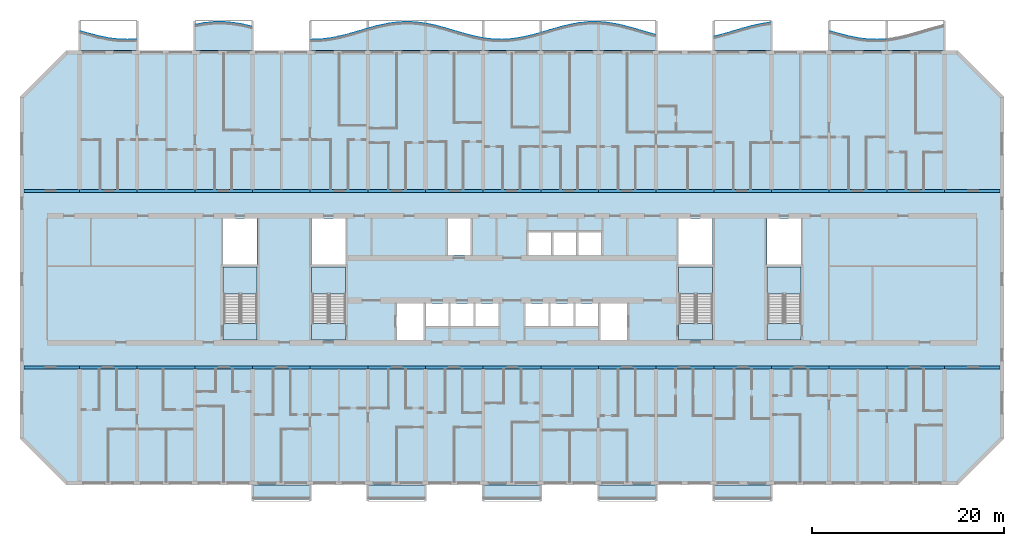
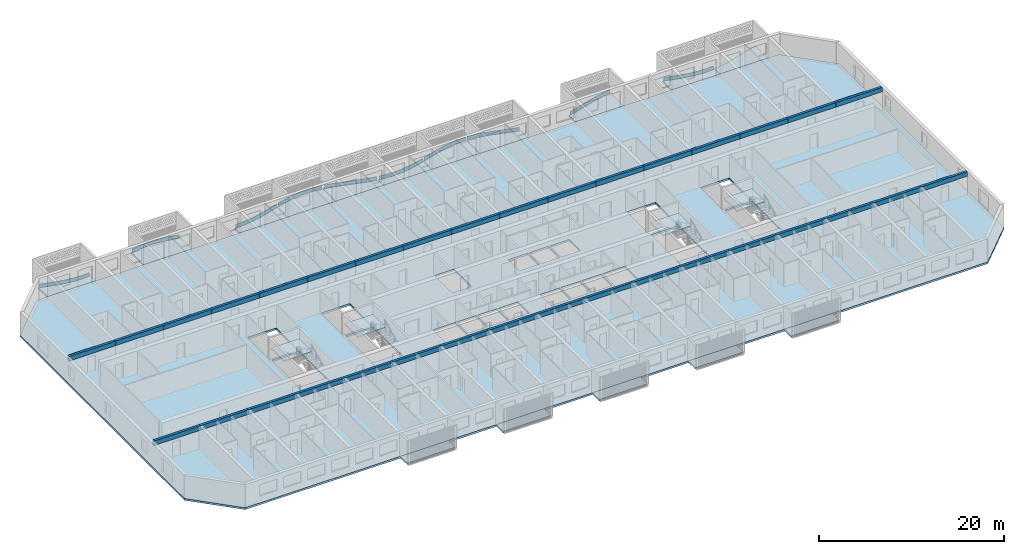
# One storey, part 1 of 44: 34 beams, 25 slabs, 10 plates, 4 elements without a shape of their own.
"""IFC4 building model written with IfcOpenShell, lengths in metres."""

from ifc_helpers import new_model, si_unit, direction, frame, origin, origin_2d, place, context, subcontext, project, spatial, polyline, rectangle, outline, extrude, source, transform, mapped, material, layer, layer_set, material_profile, profile_set, type_object, element, aggregate, save


model = new_model("IFC4")

# Units and contexts
model_context = context("Model", 3, precision=1e-05, world=origin(), true_north=direction((0.0, 1.0)))
body_context = subcontext(model_context, "Body", "Model", "MODEL_VIEW")
ifc_project = project(units=[si_unit("LENGTHUNIT", "METRE"), si_unit("AREAUNIT", "SQUARE_METRE"), si_unit("VOLUMEUNIT", "CUBIC_METRE"), si_unit("PLANEANGLEUNIT", "RADIAN"), si_unit("MASSUNIT", "GRAM", prefix="KILO")], contexts=[model_context])

# Site, building, storey
site_placement = place(None, origin())
site = spatial("IfcSite", under=ifc_project, at=site_placement, CompositionType="ELEMENT")
building_placement = place(site_placement, origin())
building = spatial("IfcBuilding", under=site, at=building_placement, Name="Poui Terraces", CompositionType="ELEMENT")
storey_placement = place(building_placement, frame((0.0, 0.0, 26.699951171875)))
storey = spatial("IfcBuildingStorey", under=building, at=storey_placement, Name="L06", CompositionType="ELEMENT", Elevation=26.699951171875)

# Beams
ifc_material_1 = material(Name="Concrete 80 MPa", Category="concrete")
ifc_material_profile = material_profile(ifc_material_1, rectangle(XDim=0.300048828125, YDim=0.60009765625, at=origin_2d()), Name="RC 300x600")
ifc_profile_set = profile_set([ifc_material_profile], Name="Concrete 80 MPa")
beam_type = type_object("IfcBeamType", Name="COUPLING BEAM 300x600 80MPa", PredefinedType="BEAM", material=ifc_profile_set)
shared_shape_1 = source(origin(), body_context, "Body", "SweptSolid", [
    extrude(rectangle(XDim=0.300048828125, YDim=0.60009765625, at=origin_2d()), origin(), (0.0, 0.0, 1.0), 6.0),
])
for number, where, z_axis, x_axis, name in (
    (1, (6.0, 12.0, 2.75), (1.0, 0.0, 0.0), (0.0, 1.0, 0.0), "COUPLING BEAM LINE B BAY 2"),
    (2, (12.0, 12.0, 2.75), (1.0, 0.0, 0.0), (0.0, 1.0, 0.0), "COUPLING BEAM LINE B BAY 3"),
    (3, (18.0, 12.0, 2.75), (1.0, 0.0, 0.0), (0.0, 1.0, 0.0), "COUPLING BEAM LINE B BAY 4"),
    (4, (24.0, 12.0, 2.75), (1.0, 0.0, 0.0), (0.0, 1.0, 0.0), "COUPLING BEAM LINE B BAY 5"),
    (5, (30.0, 12.0, 2.75), (1.0, 0.0, 0.0), (0.0, 1.0, 0.0), "COUPLING BEAM LINE B BAY 6"),
    (6, (36.0, 12.0, 2.75), (1.0, 0.0, 0.0), (0.0, 1.0, 0.0), "COUPLING BEAM LINE B BAY 7"),
    (7, (42.0, 12.0, 2.75), (1.0, 0.0, 0.0), (0.0, 1.0, 0.0), "COUPLING BEAM LINE B BAY 8"),
    (8, (48.0, 12.0, 2.75), (1.0, 0.0, 0.0), (0.0, 1.0, 0.0), "COUPLING BEAM LINE B BAY 9"),
    (9, (54.0, 12.0, 2.75), (1.0, 0.0, 0.0), (0.0, 1.0, 0.0), "COUPLING BEAM LINE B BAY 10"),
    (10, (60.0, 12.0, 2.75), (1.0, 0.0, 0.0), (0.0, 1.0, 0.0), "COUPLING BEAM LINE B BAY 11"),
    (11, (66.0, 12.0, 2.75), (1.0, 0.0, 0.0), (0.0, 1.0, 0.0), "COUPLING BEAM LINE B BAY 12"),
    (12, (72.0, 12.0, 2.75), (1.0, 0.0, 0.0), (0.0, 1.0, 0.0), "COUPLING BEAM LINE B BAY 13"),
    (13, (78.0, 12.0, 2.75), (1.0, 0.0, 0.0), (0.0, 1.0, 0.0), "COUPLING BEAM LINE B BAY 14"),
    (14, (84.0, 12.0, 2.75), (1.0, 0.0, 0.0), (0.0, 1.0, 0.0), "COUPLING BEAM LINE B BAY 15"),
    (15, (90.0, 12.0, 2.75), (1.0, 0.0, 0.0), (0.0, 1.0, 0.0), "COUPLING BEAM LINE B BAY 16"),
    (16, (6.0, 30.39990234375, 2.75), (1.0, 0.0, 0.0), (0.0, 1.0, 0.0), "COUPLING BEAM LINE E BAY 2"),
    (17, (12.0, 30.39990234375, 2.75), (1.0, 0.0, 0.0), (0.0, 1.0, 0.0), "COUPLING BEAM LINE E BAY 3"),
    (18, (18.0, 30.39990234375, 2.75), (1.0, 0.0, 0.0), (0.0, 1.0, 0.0), "COUPLING BEAM LINE E BAY 4"),
    (19, (24.0, 30.39990234375, 2.75), (1.0, 0.0, 0.0), (0.0, 1.0, 0.0), "COUPLING BEAM LINE E BAY 5"),
    (20, (30.0, 30.39990234375, 2.75), (1.0, 0.0, 0.0), (0.0, 1.0, 0.0), "COUPLING BEAM LINE E BAY 6"),
    (21, (36.0, 30.39990234375, 2.75), (1.0, 0.0, 0.0), (0.0, 1.0, 0.0), "COUPLING BEAM LINE E BAY 7"),
    (22, (42.0, 30.39990234375, 2.75), (1.0, 0.0, 0.0), (0.0, 1.0, 0.0), "COUPLING BEAM LINE E BAY 8"),
    (23, (48.0, 30.39990234375, 2.75), (1.0, 0.0, 0.0), (0.0, 1.0, 0.0), "COUPLING BEAM LINE E BAY 9"),
    (24, (54.0, 30.39990234375, 2.75), (1.0, 0.0, 0.0), (0.0, 1.0, 0.0), "COUPLING BEAM LINE E BAY 10"),
    (25, (60.0, 30.39990234375, 2.75), (1.0, 0.0, 0.0), (0.0, 1.0, 0.0), "COUPLING BEAM LINE E BAY 11"),
    (26, (66.0, 30.39990234375, 2.75), (1.0, 0.0, 0.0), (0.0, 1.0, 0.0), "COUPLING BEAM LINE E BAY 12"),
    (27, (72.0, 30.39990234375, 2.75), (1.0, 0.0, 0.0), (0.0, 1.0, 0.0), "COUPLING BEAM LINE E BAY 13"),
    (28, (78.0, 30.39990234375, 2.75), (1.0, 0.0, 0.0), (0.0, 1.0, 0.0), "COUPLING BEAM LINE E BAY 14"),
    (29, (84.0, 30.39990234375, 2.75), (1.0, 0.0, 0.0), (0.0, 1.0, 0.0), "COUPLING BEAM LINE E BAY 15"),
    (30, (90.0, 30.39990234375, 2.75), (1.0, 0.0, 0.0), (0.0, 1.0, 0.0), "COUPLING BEAM LINE E BAY 16"),
):
    element("IfcBeam", number, at=place(storey_placement, frame(where, z_axis=z_axis, x_axis=x_axis)), inside=storey, type_object=beam_type, Name=name, PredefinedType="BEAM", context=body_context, shape_type="MappedRepresentation", body=[
        mapped(shared_shape_1, transform((0.0, 0.0, 0.0))),
    ])
shared_shape_2 = source(origin(), body_context, "Body", "SweptSolid", [
    extrude(rectangle(XDim=0.300048828125, YDim=0.60009765625, at=origin_2d()), origin(), (0.0, 0.0, 1.0), 5.800048828125),
])
for number, where, z_axis, x_axis, name in (
    (31, (0.199951171875, 12.0, 2.75), (1.0, 0.0, 0.0), (0.0, 1.0, 0.0), "COUPLING BEAM LINE B BAY 1"),
    (32, (96.0, 12.0, 2.75), (1.0, 0.0, 0.0), (0.0, 1.0, 0.0), "COUPLING BEAM LINE B BAY 17"),
    (33, (0.199951171875, 30.39990234375, 2.75), (1.0, 0.0, 0.0), (0.0, 1.0, 0.0), "COUPLING BEAM LINE E BAY 1"),
    (34, (96.0, 30.39990234375, 2.75), (1.0, 0.0, 0.0), (0.0, 1.0, 0.0), "COUPLING BEAM LINE E BAY 17"),
):
    element("IfcBeam", number, at=place(storey_placement, frame(where, z_axis=z_axis, x_axis=x_axis)), inside=storey, type_object=beam_type, Name=name, PredefinedType="BEAM", context=body_context, shape_type="MappedRepresentation", body=[
        mapped(shared_shape_2, transform((0.0, 0.0, 0.0))),
    ])

# Slabs
ifc_material_2 = material(Name="Precast concrete 40 MPa", Category="concrete")
ifc_layer_1 = layer(ifc_material_2, 0.199951171875)
ifc_layer_set_1 = layer_set([ifc_layer_1], Name="Precast concrete 40 MPa")
slab_type_1 = type_object("IfcSlabType", Name="BALCONY SLAB 200", PredefinedType="FLOOR", material=ifc_layer_set_1)
slab_1_placement = place(storey_placement, frame((0.0, 0.0, -0.199951171875)))
element("IfcSlab", 35, at=slab_1_placement, inside=storey, type_object=slab_type_1, Name="BALCONY SLAB", PredefinedType="FLOOR", context=body_context, shape_type="SweptSolid", body=[
    extrude(outline(polyline([(6.0, 45.0), (12.0, 45.0), (12.0, 46.16455078125), (11.0, 46.101318359375), (10.0, 46.133056640625), (9.0, 46.2568359375), (8.0, 46.45947265625), (7.0, 46.72021484375), (6.0, 47.0126953125), (6.0, 45.0)])), origin(), (0.0, 0.0, 1.0), 0.199951171875),
])
slab_2_placement = place(storey_placement, frame((0.0, 0.0, -0.199951171875)))
element("IfcSlab", 36, at=slab_2_placement, inside=storey, type_object=slab_type_1, Name="BALCONY SLAB", PredefinedType="FLOOR", context=body_context, shape_type="SweptSolid", body=[
    extrude(outline(polyline([(18.0, 45.0), (24.0, 45.0), (24.0, 47.44384765625), (23.0, 47.683349609375), (22.0, 47.855224609375), (21.0, 47.941650390625), (20.0, 47.93359375), (19.0, 47.832275390625), (18.0, 47.647705078125), (18.0, 45.0)])), origin(), (0.0, 0.0, 1.0), 0.199951171875),
])
slab_3_placement = place(storey_placement, frame((0.0, 0.0, -0.199951171875)))
element("IfcSlab", 37, at=slab_3_placement, inside=storey, type_object=slab_type_1, Name="BALCONY SLAB", PredefinedType="FLOOR", context=body_context, shape_type="SweptSolid", body=[
    extrude(outline(polyline([(30.0, 45.0), (36.0, 45.0), (36.0, 47.25830078125), (35.0, 46.962890625), (34.0, 46.673828125), (33.0, 46.4208984375), (32.0, 46.230224609375), (31.0, 46.121337890625), (30.0, 46.105224609375), (30.0, 45.0)])), origin(), (0.0, 0.0, 1.0), 0.199951171875),
])
slab_4_placement = place(storey_placement, frame((0.0, 0.0, -0.199951171875)))
element("IfcSlab", 38, at=slab_4_placement, inside=storey, type_object=slab_type_1, Name="BALCONY SLAB", PredefinedType="FLOOR", context=body_context, shape_type="SweptSolid", body=[
    extrude(outline(polyline([(36.0, 45.0), (42.0, 45.0), (42.0, 47.779052734375), (41.0, 47.909912109375), (40.0, 47.94970703125), (39.0, 47.894287109375), (38.0, 47.749267578125), (37.0, 47.52978515625), (36.0, 47.25830078125), (36.0, 45.0)])), origin(), (0.0, 0.0, 1.0), 0.199951171875),
])
slab_5_placement = place(storey_placement, frame((0.0, 0.0, -0.199951171875)))
element("IfcSlab", 39, at=slab_5_placement, inside=storey, type_object=slab_type_1, Name="BALCONY SLAB", PredefinedType="FLOOR", context=body_context, shape_type="SweptSolid", body=[
    extrude(outline(polyline([(42.0, 45.0), (48.0, 45.0), (48.0, 46.2568359375), (47.0, 46.45947265625), (46.0, 46.72021484375), (45.0, 47.0126953125), (44.0, 47.30615234375), (43.0, 47.57080078125), (42.0, 47.779052734375), (42.0, 45.0)])), origin(), (0.0, 0.0, 1.0), 0.199951171875),
])
slab_6_placement = place(storey_placement, frame((0.0, 0.0, -0.199951171875)))
element("IfcSlab", 40, at=slab_6_placement, inside=storey, type_object=slab_type_1, Name="BALCONY SLAB", PredefinedType="FLOOR", context=body_context, shape_type="SweptSolid", body=[
    extrude(outline(polyline([(48.0, 45.0), (54.0, 45.0), (54.0, 46.815673828125), (53.0, 46.541259765625), (52.0, 46.31640625), (51.0, 46.16455078125), (50.0, 46.101318359375), (49.0, 46.133056640625), (48.0, 46.2568359375), (48.0, 45.0)])), origin(), (0.0, 0.0, 1.0), 0.199951171875),
])
slab_7_placement = place(storey_placement, frame((0.0, 0.0, -0.199951171875)))
element("IfcSlab", 41, at=slab_7_placement, inside=storey, type_object=slab_type_1, Name="BALCONY SLAB", PredefinedType="FLOOR", context=body_context, shape_type="SweptSolid", body=[
    extrude(outline(polyline([(54.0, 45.0), (60.0, 45.0), (60.0, 47.941650390625), (59.0, 47.93359375), (58.0, 47.832275390625), (57.0, 47.647705078125), (56.0, 47.39892578125), (55.0, 47.11181640625), (54.0, 46.815673828125), (54.0, 45.0)])), origin(), (0.0, 0.0, 1.0), 0.199951171875),
])
slab_8_placement = place(storey_placement, frame((0.0, 0.0, -0.199951171875)))
element("IfcSlab", 42, at=slab_8_placement, inside=storey, type_object=slab_type_1, Name="BALCONY SLAB", PredefinedType="FLOOR", context=body_context, shape_type="SweptSolid", body=[
    extrude(outline(polyline([(60.0, 45.0), (66.0, 45.0), (66.0, 46.584228515625), (65.0, 46.864501953125), (64.0, 47.1611328125), (63.0, 47.44384765625), (62.0, 47.683349609375), (61.0, 47.855224609375), (60.0, 47.941650390625), (60.0, 45.0)])), origin(), (0.0, 0.0, 1.0), 0.199951171875),
])
slab_9_placement = place(storey_placement, frame((0.0, 0.0, -0.199951171875)))
element("IfcSlab", 43, at=slab_9_placement, inside=storey, type_object=slab_type_1, Name="BALCONY SLAB", PredefinedType="FLOOR", context=body_context, shape_type="SweptSolid", body=[
    extrude(outline(polyline([(72.0, 45.0), (78.0, 45.0), (78.0, 47.894287109375), (77.0, 47.749267578125), (76.0, 47.52978515625), (75.0, 47.25830078125), (74.0, 46.962890625), (73.0, 46.673828125), (72.0, 46.4208984375), (72.0, 45.0)])), origin(), (0.0, 0.0, 1.0), 0.199951171875),
])
slab_10_placement = place(storey_placement, frame((0.0, 0.0, -0.199951171875)))
element("IfcSlab", 44, at=slab_10_placement, inside=storey, type_object=slab_type_1, Name="BALCONY SLAB", PredefinedType="FLOOR", context=body_context, shape_type="SweptSolid", body=[
    extrude(outline(polyline([(84.0, 45.0), (90.0, 45.0), (90.0, 46.16455078125), (89.0, 46.101318359375), (88.0, 46.133056640625), (87.0, 46.2568359375), (86.0, 46.45947265625), (85.0, 46.72021484375), (84.0, 47.0126953125), (84.0, 45.0)])), origin(), (0.0, 0.0, 1.0), 0.199951171875),
])
slab_11_placement = place(storey_placement, frame((0.0, 0.0, -0.199951171875)))
element("IfcSlab", 45, at=slab_11_placement, inside=storey, type_object=slab_type_1, Name="BALCONY SLAB", PredefinedType="FLOOR", context=body_context, shape_type="SweptSolid", body=[
    extrude(outline(polyline([(90.0, 45.0), (96.0, 45.0), (96.0, 47.647705078125), (95.0, 47.39892578125), (94.0, 47.11181640625), (93.0, 46.815673828125), (92.0, 46.541259765625), (91.0, 46.31640625), (90.0, 46.16455078125), (90.0, 45.0)])), origin(), (0.0, 0.0, 1.0), 0.199951171875),
])

# Stair, slabs
stair_type = type_object("IfcStairType", Name="EXIT STAIR 1650 80 MPA", PredefinedType="HALF_TURN_STAIR", material=ifc_material_1)
stair_1_placement = place(storey_placement, origin())
stair_1 = element("IfcStair", 46, at=stair_1_placement, inside=storey, type_object=stair_type, Name="L06 CORE STAIR EAST", PredefinedType="HALF_TURN_STAIR")
ifc_layer_2 = layer(ifc_material_1, 0.199951171875)
ifc_layer_set_2 = layer_set([ifc_layer_2], Name="Concrete 80 MPa")
slab_type_2 = type_object("IfcSlabType", Name="STAIR LANDING 200 80 MPA", PredefinedType="LANDING", material=ifc_layer_set_2)
slab_12_placement = place(storey_placement, frame((0.0, 0.0, 1.449951171875)))
slab_12 = element("IfcSlab", 47, at=slab_12_placement, type_object=slab_type_2, Name="ST-CE landing 1", PredefinedType="LANDING", context=body_context, shape_type="SweptSolid", body=[
    extrude(outline(polyline([(68.324951171875, 19.679931640625), (71.875, 19.679931640625), (71.875, 22.47509765625), (68.324951171875, 22.47509765625), (68.324951171875, 19.679931640625)])), origin(), (0.0, 0.0, 1.0), 0.2001953125),
])
slab_13_placement = place(storey_placement, frame((0.0, 0.0, -0.199951171875)))
slab_13 = element("IfcSlab", 48, at=slab_13_placement, type_object=slab_type_2, Name="ST-CE landing 2", PredefinedType="LANDING", context=body_context, shape_type="SweptSolid", body=[
    extrude(outline(polyline([(68.324951171875, 14.89990234375), (71.875, 14.89990234375), (71.875, 16.60009765625), (68.324951171875, 16.60009765625), (68.324951171875, 14.89990234375)])), origin(), (0.0, 0.0, 1.0), 0.199951171875),
])
aggregate(stair_1, [slab_12, slab_13])

stair_2_placement = place(storey_placement, origin())
stair_2 = element("IfcStair", 49, at=stair_2_placement, inside=storey, type_object=stair_type, Name="L06 CORE STAIR WEST", PredefinedType="HALF_TURN_STAIR")
slab_14_placement = place(storey_placement, frame((0.0, 0.0, 1.449951171875)))
slab_14 = element("IfcSlab", 50, at=slab_14_placement, type_object=slab_type_2, Name="ST-CW landing 1", PredefinedType="LANDING", context=body_context, shape_type="SweptSolid", body=[
    extrude(outline(polyline([(30.125, 19.679931640625), (33.675048828125, 19.679931640625), (33.675048828125, 22.47509765625), (30.125, 22.47509765625), (30.125, 19.679931640625)])), origin(), (0.0, 0.0, 1.0), 0.2001953125),
])
slab_15_placement = place(storey_placement, frame((0.0, 0.0, -0.199951171875)))
slab_15 = element("IfcSlab", 51, at=slab_15_placement, type_object=slab_type_2, Name="ST-CW landing 2", PredefinedType="LANDING", context=body_context, shape_type="SweptSolid", body=[
    extrude(outline(polyline([(30.125, 14.89990234375), (33.675048828125, 14.89990234375), (33.675048828125, 16.60009765625), (30.125, 16.60009765625), (30.125, 14.89990234375)])), origin(), (0.0, 0.0, 1.0), 0.199951171875),
])
aggregate(stair_2, [slab_14, slab_15])

stair_3_placement = place(storey_placement, origin())
stair_3 = element("IfcStair", 52, at=stair_3_placement, inside=storey, type_object=stair_type, Name="L06 TIP STAIR EAST", PredefinedType="HALF_TURN_STAIR")
slab_16_placement = place(storey_placement, frame((0.0, 0.0, 1.449951171875)))
slab_16 = element("IfcSlab", 53, at=slab_16_placement, type_object=slab_type_2, Name="ST-E landing 1", PredefinedType="LANDING", context=body_context, shape_type="SweptSolid", body=[
    extrude(outline(polyline([(77.52490234375, 19.679931640625), (81.074951171875, 19.679931640625), (81.074951171875, 22.47509765625), (77.52490234375, 22.47509765625), (77.52490234375, 19.679931640625)])), origin(), (0.0, 0.0, 1.0), 0.2001953125),
])
slab_17_placement = place(storey_placement, frame((0.0, 0.0, -0.199951171875)))
slab_17 = element("IfcSlab", 54, at=slab_17_placement, type_object=slab_type_2, Name="ST-E landing 2", PredefinedType="LANDING", context=body_context, shape_type="SweptSolid", body=[
    extrude(outline(polyline([(77.52490234375, 14.89990234375), (81.074951171875, 14.89990234375), (81.074951171875, 16.60009765625), (77.52490234375, 16.60009765625), (77.52490234375, 14.89990234375)])), origin(), (0.0, 0.0, 1.0), 0.199951171875),
])
aggregate(stair_3, [slab_16, slab_17])

stair_4_placement = place(storey_placement, origin())
stair_4 = element("IfcStair", 55, at=stair_4_placement, inside=storey, type_object=stair_type, Name="L06 TIP STAIR WEST", PredefinedType="HALF_TURN_STAIR")
slab_18_placement = place(storey_placement, frame((0.0, 0.0, 1.449951171875)))
slab_18 = element("IfcSlab", 56, at=slab_18_placement, type_object=slab_type_2, Name="ST-W landing 1", PredefinedType="LANDING", context=body_context, shape_type="SweptSolid", body=[
    extrude(outline(polyline([(20.925048828125, 19.679931640625), (24.47509765625, 19.679931640625), (24.47509765625, 22.47509765625), (20.925048828125, 22.47509765625), (20.925048828125, 19.679931640625)])), origin(), (0.0, 0.0, 1.0), 0.2001953125),
])
slab_19_placement = place(storey_placement, frame((0.0, 0.0, -0.199951171875)))
slab_19 = element("IfcSlab", 57, at=slab_19_placement, type_object=slab_type_2, Name="ST-W landing 2", PredefinedType="LANDING", context=body_context, shape_type="SweptSolid", body=[
    extrude(outline(polyline([(20.925048828125, 14.89990234375), (24.47509765625, 14.89990234375), (24.47509765625, 16.60009765625), (20.925048828125, 16.60009765625), (20.925048828125, 14.89990234375)])), origin(), (0.0, 0.0, 1.0), 0.199951171875),
])
aggregate(stair_4, [slab_18, slab_19])

# Plates
ifc_layer_3 = layer(ifc_material_2, 0.080078125)
ifc_layer_set_3 = layer_set([ifc_layer_3], Name="Precast concrete 40 MPa")
plate_type = type_object("IfcPlateType", Name="SUNSHADE UPSTAND 80", PredefinedType="SHEET", material=ifc_layer_set_3)
plate_1_placement = place(storey_placement, origin())
element("IfcPlate", 58, at=plate_1_placement, inside=storey, type_object=plate_type, Name="SUNSHADE UPSTAND", PredefinedType="SHEET", context=body_context, shape_type="SweptSolid", body=[
    extrude(outline(polyline([(7.010498046875, 46.7138671875), (6.13623046875, 46.96875), (6.11376953125, 46.891845703125), (6.989501953125, 46.63671875), (7.990966796875, 46.37548828125), (8.99365234375, 46.172119140625), (9.996826171875, 46.048095703125), (11.00048828125, 46.016357421875), (11.877197265625, 46.066650390625), (11.872802734375, 46.146484375), (10.99951171875, 46.096435546875), (10.003173828125, 46.128173828125), (9.00634765625, 46.251220703125), (8.009033203125, 46.453369140625), (7.010498046875, 46.7138671875)])), origin(), (0.0, 0.0, 1.0), 0.449951171875),
])
plate_2_placement = place(storey_placement, origin())
element("IfcPlate", 59, at=plate_2_placement, inside=storey, type_object=plate_type, Name="SUNSHADE UPSTAND", PredefinedType="SHEET", context=body_context, shape_type="SweptSolid", body=[
    extrude(outline(polyline([(18.994384765625, 47.826904296875), (18.117919921875, 47.6689453125), (18.132080078125, 47.59033203125), (19.005615234375, 47.74755859375), (20.002197265625, 47.8486328125), (20.998291015625, 47.856689453125), (21.994873046875, 47.7705078125), (22.991943359375, 47.59912109375), (23.86572265625, 47.392822265625), (23.88427734375, 47.470703125), (23.008056640625, 47.677734375), (22.005126953125, 47.85009765625), (21.001708984375, 47.936767578125), (19.997802734375, 47.9287109375), (18.994384765625, 47.826904296875)])), origin(), (0.0, 0.0, 1.0), 0.449951171875),
])
plate_3_placement = place(storey_placement, origin())
element("IfcPlate", 60, at=plate_3_placement, inside=storey, type_object=plate_type, Name="SUNSHADE UPSTAND", PredefinedType="SHEET", context=body_context, shape_type="SweptSolid", body=[
    extrude(outline(polyline([(30.997314453125, 46.1162109375), (30.1240234375, 46.09716796875), (30.1259765625, 46.01708984375), (31.002685546875, 46.036376953125), (32.005859375, 46.1455078125), (33.0087890625, 46.3369140625), (34.010498046875, 46.59033203125), (35.01123046875, 46.879638671875), (35.886474609375, 47.138916015625), (35.863525390625, 47.215576171875), (34.98876953125, 46.956298828125), (33.989501953125, 46.66748046875), (32.9912109375, 46.4150390625), (31.994140625, 46.224853515625), (30.997314453125, 46.1162109375)])), origin(), (0.0, 0.0, 1.0), 0.449951171875),
])
plate_4_placement = place(storey_placement, origin())
element("IfcPlate", 61, at=plate_4_placement, inside=storey, type_object=plate_type, Name="SUNSHADE UPSTAND", PredefinedType="SHEET", context=body_context, shape_type="SweptSolid", body=[
    extrude(outline(polyline([(36.990478515625, 47.523681640625), (36.114501953125, 47.287841796875), (36.135498046875, 47.210693359375), (37.009521484375, 47.446044921875), (38.007080078125, 47.664794921875), (39.00390625, 47.809326171875), (40.000244140625, 47.864501953125), (40.99658203125, 47.824951171875), (41.8701171875, 47.71533203125), (41.8798828125, 47.794921875), (41.00341796875, 47.90478515625), (39.999755859375, 47.944580078125), (38.99609375, 47.88916015625), (37.992919921875, 47.74365234375), (36.990478515625, 47.523681640625)])), origin(), (0.0, 0.0, 1.0), 0.449951171875),
])
plate_5_placement = place(storey_placement, origin())
element("IfcPlate", 62, at=plate_5_placement, inside=storey, type_object=plate_type, Name="SUNSHADE UPSTAND", PredefinedType="SHEET", context=body_context, shape_type="SweptSolid", body=[
    extrude(outline(polyline([(43.00927734375, 47.564697265625), (42.13330078125, 47.751220703125), (42.11669921875, 47.6728515625), (42.99072265625, 47.48681640625), (43.9892578125, 47.22265625), (44.98876953125, 46.92919921875), (45.9892578125, 46.63671875), (46.990966796875, 46.37548828125), (47.866943359375, 46.194091796875), (47.883056640625, 46.272216796875), (47.009033203125, 46.453369140625), (46.0107421875, 46.7138671875), (45.01123046875, 47.006103515625), (44.0107421875, 47.299560546875), (43.00927734375, 47.564697265625)])), origin(), (0.0, 0.0, 1.0), 0.449951171875),
])
plate_6_placement = place(storey_placement, origin())
element("IfcPlate", 63, at=plate_6_placement, inside=storey, type_object=plate_type, Name="SUNSHADE UPSTAND", PredefinedType="SHEET", context=body_context, shape_type="SweptSolid", body=[
    extrude(outline(polyline([(49.0029296875, 46.128173828125), (48.129638671875, 46.2314453125), (48.120361328125, 46.15185546875), (48.9970703125, 46.048095703125), (50.00048828125, 46.016357421875), (51.00439453125, 46.079833984375), (52.00732421875, 46.232177734375), (53.009521484375, 46.457275390625), (53.885498046875, 46.696044921875), (53.864501953125, 46.773193359375), (52.990478515625, 46.534912109375), (51.99267578125, 46.310791015625), (50.99560546875, 46.159423828125), (49.99951171875, 46.096435546875), (49.0029296875, 46.128173828125)])), origin(), (0.0, 0.0, 1.0), 0.449951171875),
])
plate_7_placement = place(storey_placement, origin())
element("IfcPlate", 64, at=plate_7_placement, inside=storey, type_object=plate_type, Name="SUNSHADE UPSTAND", PredefinedType="SHEET", context=body_context, shape_type="SweptSolid", body=[
    extrude(outline(polyline([(54.98876953125, 47.105224609375), (54.113525390625, 46.845458984375), (54.136474609375, 46.768798828125), (55.01123046875, 47.0283203125), (56.01025390625, 47.315185546875), (57.008544921875, 47.5634765625), (58.005615234375, 47.74755859375), (59.002197265625, 47.8486328125), (59.87548828125, 47.86083984375), (59.87451171875, 47.940673828125), (59.834716796875, 47.9404296875), (58.997802734375, 47.9287109375), (57.994384765625, 47.826904296875), (56.991455078125, 47.6416015625), (55.98974609375, 47.392578125), (54.98876953125, 47.105224609375)])), origin(), (0.0, 0.0, 1.0), 0.449951171875),
])
plate_8_placement = place(storey_placement, origin())
element("IfcPlate", 65, at=plate_8_placement, inside=storey, type_object=plate_type, Name="SUNSHADE UPSTAND", PredefinedType="SHEET", context=body_context, shape_type="SweptSolid", body=[
    extrude(outline(polyline([(61.005126953125, 47.85009765625), (60.166259765625, 47.92724609375), (60.128662109375, 47.9306640625), (60.121337890625, 47.85107421875), (60.994873046875, 47.7705078125), (61.991943359375, 47.59912109375), (62.989990234375, 47.360107421875), (63.989013671875, 47.07763671875), (64.989013671875, 46.781005859375), (65.864013671875, 46.53369140625), (65.885986328125, 46.61083984375), (65.010986328125, 46.85791015625), (64.010986328125, 47.154541015625), (63.010009765625, 47.4375), (62.008056640625, 47.677734375), (61.005126953125, 47.85009765625)])), origin(), (0.0, 0.0, 1.0), 0.449951171875),
])
plate_9_placement = place(storey_placement, origin())
element("IfcPlate", 66, at=plate_9_placement, inside=storey, type_object=plate_type, Name="SUNSHADE UPSTAND", PredefinedType="SHEET", context=body_context, shape_type="SweptSolid", body=[
    extrude(outline(polyline([(72.989501953125, 46.66748046875), (72.114990234375, 46.443359375), (72.135009765625, 46.365966796875), (73.010498046875, 46.59033203125), (74.01123046875, 46.879638671875), (75.010986328125, 47.1748046875), (76.009521484375, 47.446044921875), (77.00732421875, 47.664794921875), (77.880859375, 47.796142578125), (77.869140625, 47.875244140625), (77.8525390625, 47.872802734375), (76.99267578125, 47.74365234375), (75.990478515625, 47.523681640625), (74.989013671875, 47.251953125), (73.98876953125, 46.956298828125), (72.989501953125, 46.66748046875)])), origin(), (0.0, 0.0, 1.0), 0.449951171875),
])
plate_10_placement = place(storey_placement, origin())
element("IfcPlate", 67, at=plate_10_placement, inside=storey, type_object=plate_type, Name="SUNSHADE UPSTAND", PredefinedType="SHEET", context=body_context, shape_type="SweptSolid", body=[
    extrude(outline(polyline([(85.010498046875, 46.7138671875), (84.13623046875, 46.96875), (84.11376953125, 46.891845703125), (84.989501953125, 46.63671875), (85.990966796875, 46.37548828125), (86.99365234375, 46.172119140625), (87.996826171875, 46.048095703125), (89.00048828125, 46.016357421875), (89.877197265625, 46.066650390625), (89.872802734375, 46.146484375), (88.99951171875, 46.096435546875), (88.003173828125, 46.128173828125), (87.00634765625, 46.251220703125), (86.009033203125, 46.453369140625), (85.010498046875, 46.7138671875)])), origin(), (0.0, 0.0, 1.0), 0.449951171875),
])

# Slabs
ifc_material_3 = material(Name="Concrete 40 MPa", Category="concrete")
ifc_layer_4 = layer(ifc_material_3, 0.25)
ifc_layer_set_4 = layer_set([ifc_layer_4], Name="Concrete 40 MPa")
slab_type_3 = type_object("IfcSlabType", Name="FLOOR SLAB 250", PredefinedType="FLOOR", material=ifc_layer_set_4)
shared_shape_3 = source(origin(), body_context, "Body", "SweptSolid", [
    extrude(outline(polyline([(0.0, 0.0), (4.800048828125, -4.800048828125), (97.599853515625, -4.800048828125), (102.39990234375, 0.0), (102.39990234375, 35.599853515625), (97.599853515625, 40.39990234375), (4.800048828125, 40.39990234375), (0.0, 35.599853515625), (0.0, 0.0)]), holes=[polyline([(39.199951171875, 10.2998046875), (39.199951171875, 14.099853515625), (42.0, 14.099853515625), (42.0, 10.2998046875), (39.199951171875, 10.2998046875)]), polyline([(42.199951171875, 11.699951171875), (42.199951171875, 14.099853515625), (44.599853515625, 14.099853515625), (44.599853515625, 11.699951171875), (42.199951171875, 11.699951171875)]), polyline([(44.800048828125, 11.699951171875), (44.800048828125, 14.099853515625), (47.199951171875, 14.099853515625), (47.199951171875, 11.699951171875), (44.800048828125, 11.699951171875)]), polyline([(47.39990234375, 14.099853515625), (49.800048828125, 14.099853515625), (49.800048828125, 11.699951171875), (47.39990234375, 11.699951171875), (47.39990234375, 14.099853515625)]), polyline([(52.599853515625, 14.099853515625), (55.0, 14.099853515625), (55.0, 11.699951171875), (52.599853515625, 11.699951171875), (52.599853515625, 14.099853515625)]), polyline([(21.224853515625, 17.849853515625), (24.675048828125, 17.849853515625), (24.675048828125, 12.0), (24.675048828125, 10.2998046875), (21.125, 10.2998046875), (21.125, 12.0), (21.224853515625, 12.0), (21.224853515625, 17.849853515625)]), polyline([(30.425048828125, 17.849853515625), (33.875, 17.849853515625), (33.875, 12.0), (33.875, 10.2998046875), (30.324951171875, 10.2998046875), (30.324951171875, 12.0), (30.425048828125, 12.0), (30.425048828125, 17.849853515625)]), polyline([(21.125, 18.125), (21.125, 22.89990234375), (24.675048828125, 22.89990234375), (24.675048828125, 18.125), (21.125, 18.125)]), polyline([(30.324951171875, 22.89990234375), (33.875, 22.89990234375), (33.875, 18.125), (30.324951171875, 18.125), (30.324951171875, 22.89990234375)]), polyline([(44.5, 22.89990234375), (46.89990234375, 22.89990234375), (46.89990234375, 19.099853515625), (44.5, 19.099853515625), (44.5, 22.89990234375)]), polyline([(60.39990234375, 10.2998046875), (60.39990234375, 14.099853515625), (63.199951171875, 14.099853515625), (63.199951171875, 10.2998046875), (60.39990234375, 10.2998046875)]), polyline([(55.199951171875, 11.699951171875), (55.199951171875, 14.099853515625), (57.599853515625, 14.099853515625), (57.599853515625, 11.699951171875), (55.199951171875, 11.699951171875)]), polyline([(57.800048828125, 11.699951171875), (57.800048828125, 14.099853515625), (60.199951171875, 14.099853515625), (60.199951171875, 11.699951171875), (57.800048828125, 11.699951171875)]), polyline([(72.074951171875, 17.849853515625), (72.074951171875, 12.0), (72.074951171875, 10.2998046875), (68.52490234375, 10.2998046875), (68.52490234375, 12.0), (68.625, 12.0), (68.625, 17.849853515625), (72.074951171875, 17.849853515625)]), polyline([(81.27490234375, 17.849853515625), (81.27490234375, 12.0), (81.27490234375, 10.2998046875), (77.724853515625, 10.2998046875), (77.724853515625, 12.0), (77.824951171875, 12.0), (77.824951171875, 17.849853515625), (81.27490234375, 17.849853515625)]), polyline([(52.89990234375, 19.099853515625), (52.89990234375, 21.5), (55.300048828125, 21.5), (55.300048828125, 19.099853515625), (52.89990234375, 19.099853515625)]), polyline([(55.5, 19.099853515625), (55.5, 21.5), (57.89990234375, 21.5), (57.89990234375, 19.099853515625), (55.5, 19.099853515625)]), polyline([(58.099853515625, 19.099853515625), (58.099853515625, 21.5), (60.5, 21.5), (60.5, 19.099853515625), (58.099853515625, 19.099853515625)]), polyline([(68.52490234375, 22.89990234375), (72.074951171875, 22.89990234375), (72.074951171875, 18.125), (68.52490234375, 18.125), (68.52490234375, 22.89990234375)]), polyline([(77.724853515625, 22.89990234375), (81.27490234375, 22.89990234375), (81.27490234375, 18.125), (77.724853515625, 18.125), (77.724853515625, 22.89990234375)])]), origin(), (0.0, 0.0, 1.0), 0.25),
])
slab_20_placement = place(storey_placement, frame((-0.199951171875, 4.60009765625, -0.25)))
element("IfcSlab", 68, at=slab_20_placement, inside=storey, type_object=slab_type_3, Name="FLOOR SLAB", PredefinedType="FLOOR", context=body_context, shape_type="MappedRepresentation", body=[
    mapped(shared_shape_3, transform((0.0, 0.0, 0.0))),
])
ifc_layer_5 = layer(ifc_material_2, 0.199951171875)
ifc_layer_set_5 = layer_set([ifc_layer_5], Name="Precast concrete 40 MPa")
slab_type_4 = type_object("IfcSlabType", Name="REAR BALCONY SLAB 200", PredefinedType="FLOOR", material=ifc_layer_set_5)
shared_shape_4 = source(origin(), body_context, "Body", "SweptSolid", [
    extrude(outline(polyline([(0.0, 0.0), (6.0, 0.0), (6.0, 1.5), (0.0, 1.5), (0.0, 0.0)])), origin(), (0.0, 0.0, 1.0), 0.199951171875),
])
for number, where, name in (
    (69, (24.0, -1.699951171875, -0.199951171875), "REAR BALCONY SLAB"),
    (70, (36.0, -1.699951171875, -0.199951171875), "REAR BALCONY SLAB"),
    (71, (48.0, -1.699951171875, -0.199951171875), "REAR BALCONY SLAB"),
    (72, (60.0, -1.699951171875, -0.199951171875), "REAR BALCONY SLAB"),
    (73, (72.0, -1.699951171875, -0.199951171875), "REAR BALCONY SLAB"),
):
    element("IfcSlab", number, at=place(storey_placement, frame(where)), inside=storey, type_object=slab_type_4, Name=name, PredefinedType="FLOOR", context=body_context, shape_type="MappedRepresentation", body=[
        mapped(shared_shape_4, transform((0.0, 0.0, 0.0))),
    ])

save(model, "model.ifc")
